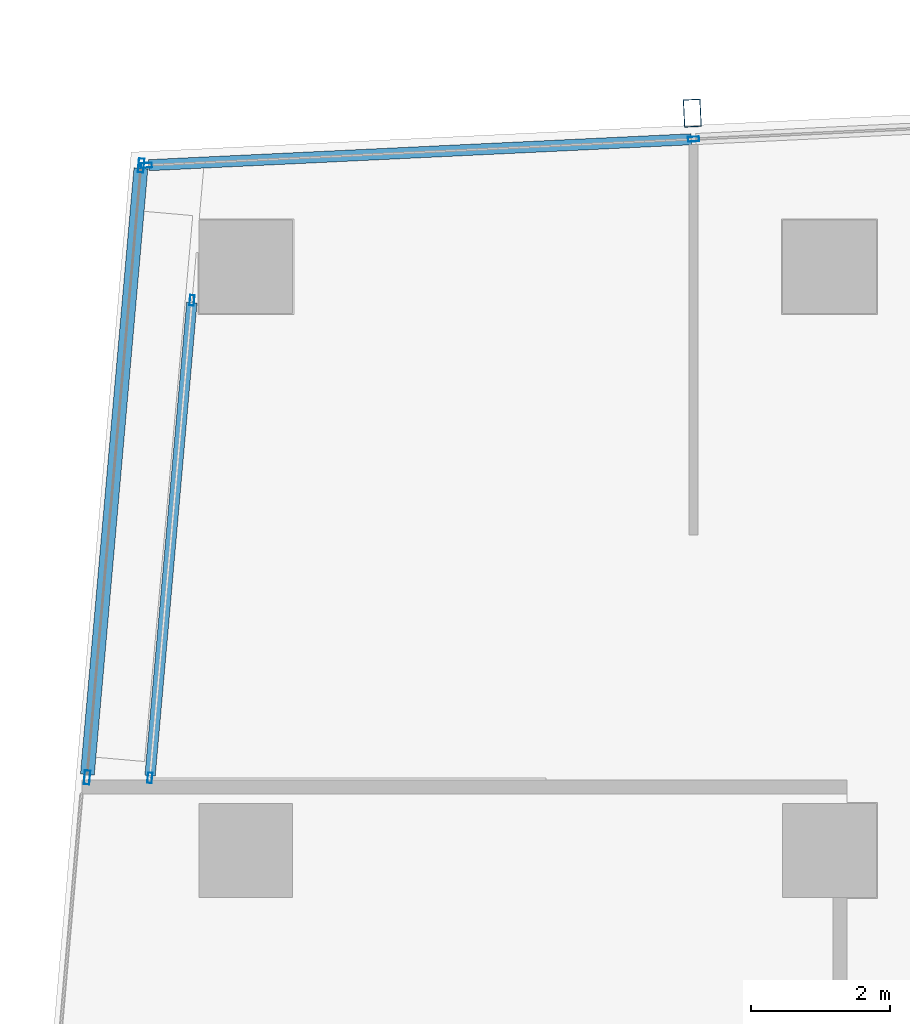
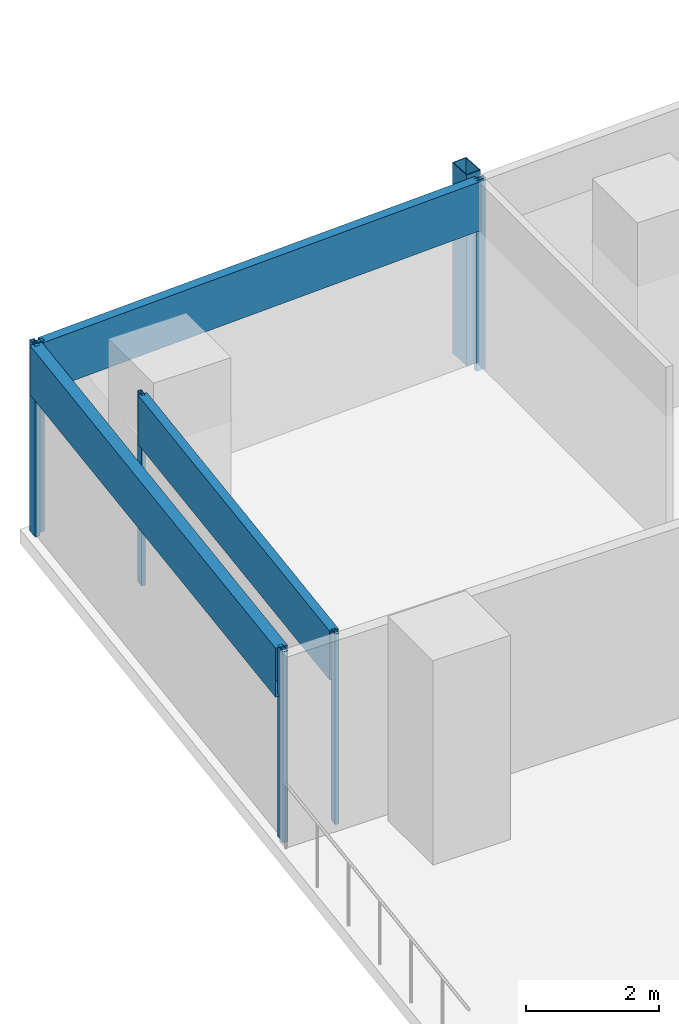
# One storey, part 14 of 35: 10 members, 3 elements without a shape of their own.
"""IFC4 building model written with IfcOpenShell, lengths in metres."""

from ifc_helpers import new_model, si_unit, direction, frame, origin, origin_2d, place, context, subcontext, project, spatial, hollow_rectangle, extrude, material, material_profile, profile_set, type_object, element, aggregate, save


model = new_model("IFC4")

# Units and contexts
model_context = context("Model", 3, precision=1e-05, world=origin(), true_north=direction((0.0, 1.0)))
body_context = subcontext(model_context, "Body", "Model", "MODEL_VIEW")
ifc_project = project(units=[si_unit("LENGTHUNIT", "METRE"), si_unit("AREAUNIT", "SQUARE_METRE"), si_unit("VOLUMEUNIT", "CUBIC_METRE"), si_unit("PLANEANGLEUNIT", "RADIAN"), si_unit("MASSUNIT", "GRAM", prefix="KILO")], contexts=[model_context])

# Site, building, storey
site_placement = place(None, origin())
site = spatial("IfcSite", under=ifc_project, at=site_placement, CompositionType="ELEMENT")
building_placement = place(site_placement, origin())
building = spatial("IfcBuilding", under=site, at=building_placement, Name="Rekha Terrace Tower", CompositionType="ELEMENT")
storey_placement = place(building_placement, frame((0.0, 0.0, 191.449951171875)))
storey = spatial("IfcBuildingStorey", under=building, at=storey_placement, Name="L48", CompositionType="ELEMENT", Elevation=191.449951171875)

# Curtain wall, member
ifc_material_1 = material(Name="Aluminium framing", Category="aluminium")
curtain_wall_type_1 = type_object("IfcCurtainWallType", Name="CW3 north unitised glazing", PredefinedType="USERDEFINED", material=ifc_material_1)
curtain_wall_1_placement = place(storey_placement, origin())
curtain_wall_1 = element("IfcCurtainWall", 1, at=curtain_wall_1_placement, inside=storey, type_object=curtain_wall_type_1, Name="CW3 unitised curtain wall", ObjectType="UNITISED CURTAIN WALL", PredefinedType="USERDEFINED")
ifc_material_2 = material(Name="Steel S355 with fluorocarbon finish", Category="steel")
ifc_material_profile_1 = material_profile(ifc_material_2, hollow_rectangle(XDim=0.25, YDim=0.39990234375, WallThickness=0.012451171875, at=origin_2d()), Name="RHS400x250x12.5")
ifc_profile_set_1 = profile_set([ifc_material_profile_1], Name="Steel S355 with fluorocarbon finish")
member_type_1 = type_object("IfcMemberType", Name="BL1 facade blade RHS 400 x 250", PredefinedType="USERDEFINED", material=ifc_profile_set_1)
member_1_placement = place(storey_placement, frame((14.824951171875, 61.01123046875, 0.0), z_axis=(0.0, 0.0, 1.0), x_axis=(-0.998858913274, -0.04775846913, 0.0)))
member_1 = element("IfcMember", 2, at=member_1_placement, type_object=member_type_1, Name="Facade blade", ObjectType="FACADE BLADE", PredefinedType="USERDEFINED", context=body_context, shape_type="SweptSolid", body=[
    extrude(hollow_rectangle(XDim=0.25, YDim=0.39990234375, WallThickness=0.012451171875, at=origin_2d()), origin(), (0.0, 0.0, 1.0), 3.5),
])

# Curtain wall, members
curtain_wall_type_2 = type_object("IfcCurtainWallType", Name="CW1 double skin inner glazing", PredefinedType="USERDEFINED", material=ifc_material_1)
curtain_wall_2_placement = place(storey_placement, origin())
curtain_wall_2 = element("IfcCurtainWall", 3, at=curtain_wall_2_placement, inside=storey, type_object=curtain_wall_type_2, Name="CW1 double skin inner glazing", ObjectType="DOUBLE SKIN INNER GLAZING", PredefinedType="USERDEFINED")
ifc_material_3 = material(Name="Aluminium mullion section", Category="aluminium")
ifc_material_profile_2 = material_profile(ifc_material_3, hollow_rectangle(XDim=0.06494140625, YDim=0.14990234375, WallThickness=0.00390625, at=origin_2d()), Name="AL RHS 65x150")
ifc_profile_set_2 = profile_set([ifc_material_profile_2], Name="Aluminium mullion section")
member_type_2 = type_object("IfcMemberType", Name="CW1 mullion RHS 65 x 150", PredefinedType="MULLION", material=ifc_profile_set_2)
member_2_placement = place(storey_placement, frame((7.625732421875, 58.316650390625, 0.0), z_axis=(0.0, 0.0, 1.0), x_axis=(0.99612418543, -0.087957985436, 0.0)))
member_2 = element("IfcMember", 4, at=member_2_placement, type_object=member_type_2, Name="CW1 mullion 1", PredefinedType="MULLION", context=body_context, shape_type="SweptSolid", body=[
    extrude(hollow_rectangle(XDim=0.06494140625, YDim=0.14990234375, WallThickness=0.00390625, at=origin_2d()), origin(), (0.0, 0.0, 1.0), 3.5),
])
member_3_placement = place(storey_placement, frame((7.01904296875, 51.4443359375, 0.0), z_axis=(0.0, 0.0, 1.0), x_axis=(0.99612418543, -0.087957985436, 0.0)))
member_3 = element("IfcMember", 5, at=member_3_placement, type_object=member_type_2, Name="CW1 mullion 2", PredefinedType="MULLION", context=body_context, shape_type="SweptSolid", body=[
    extrude(hollow_rectangle(XDim=0.06494140625, YDim=0.14990234375, WallThickness=0.00390625, at=origin_2d()), origin(), (0.0, 0.0, 1.0), 3.5),
])
ifc_material_4 = material(Name="Insulated aluminium spandrel box", Category="aluminium")
ifc_material_profile_3 = material_profile(ifc_material_4, hollow_rectangle(XDim=0.14990234375, YDim=0.89990234375, WallThickness=0.0029296875, at=origin_2d()), Name="AL SPANDREL BOX 150x900")
ifc_profile_set_3 = profile_set([ifc_material_profile_3], Name="Insulated aluminium spandrel box")
member_type_3 = type_object("IfcMemberType", Name="CW1 spandrel transom 150 x 900", PredefinedType="USERDEFINED", material=ifc_profile_set_3)
member_4_placement = place(storey_placement, frame((7.622802734375, 58.2841796875, 3.050048828125), z_axis=(-0.087955324854, -0.996124420356, 0.0), x_axis=(0.996124420356, -0.087955324854, 0.0)))
member_4 = element("IfcMember", 6, at=member_4_placement, type_object=member_type_3, Name="CW1 spandrel transom 1", ObjectType="TRANSOM", PredefinedType="USERDEFINED", context=body_context, shape_type="SweptSolid", body=[
    extrude(hollow_rectangle(XDim=0.14990234375, YDim=0.89990234375, WallThickness=0.0029296875, at=origin_2d()), origin(), (0.0, 0.0, 1.0), 6.833740234375),
])
aggregate(curtain_wall_2, [member_2, member_3, member_4])

curtain_wall_type_3 = type_object("IfcCurtainWallType", Name="CW2 double skin outer glazing", PredefinedType="USERDEFINED", material=ifc_material_1)
curtain_wall_3_placement = place(storey_placement, origin())
curtain_wall_3 = element("IfcCurtainWall", 7, at=curtain_wall_3_placement, inside=storey, type_object=curtain_wall_type_3, Name="CW2 double skin outer glazing", ObjectType="DOUBLE SKIN OUTER GLAZING", PredefinedType="USERDEFINED")
ifc_material_profile_4 = material_profile(ifc_material_3, hollow_rectangle(XDim=0.080078125, YDim=0.199951171875, WallThickness=0.00390625, at=origin_2d()), Name="AL RHS 80x200")
ifc_profile_set_4 = profile_set([ifc_material_profile_4], Name="Aluminium mullion section")
member_type_4 = type_object("IfcMemberType", Name="CW2 mullion RHS 80 x 200", PredefinedType="MULLION", material=ifc_profile_set_4)
member_5_placement = place(storey_placement, frame((6.8935546875, 60.257080078125, 0.0), z_axis=(0.0, 0.0, 1.0), x_axis=(0.996124185427, -0.087957985471, 0.0)))
member_5 = element("IfcMember", 8, at=member_5_placement, type_object=member_type_4, Name="CW2 mullion 1", PredefinedType="MULLION", context=body_context, shape_type="SweptSolid", body=[
    extrude(hollow_rectangle(XDim=0.080078125, YDim=0.199951171875, WallThickness=0.00390625, at=origin_2d()), origin(), (0.0, 0.0, 1.0), 3.5),
])
member_6_placement = place(storey_placement, frame((6.115966796875, 51.451904296875, 0.0), z_axis=(0.0, 0.0, 1.0), x_axis=(0.996124185427, -0.087957985471, 0.0)))
member_6 = element("IfcMember", 9, at=member_6_placement, type_object=member_type_4, Name="CW2 mullion 2", PredefinedType="MULLION", context=body_context, shape_type="SweptSolid", body=[
    extrude(hollow_rectangle(XDim=0.080078125, YDim=0.199951171875, WallThickness=0.00390625, at=origin_2d()), origin(), (0.0, 0.0, 1.0), 3.5),
])
ifc_material_profile_5 = material_profile(ifc_material_4, hollow_rectangle(XDim=0.199951171875, YDim=0.89990234375, WallThickness=0.0029296875, at=origin_2d()), Name="AL SPANDREL BOX 200x900")
ifc_profile_set_5 = profile_set([ifc_material_profile_5], Name="Insulated aluminium spandrel box")
member_type_5 = type_object("IfcMemberType", Name="CW2 spandrel transom 200 x 900", PredefinedType="USERDEFINED", material=ifc_profile_set_5)
member_7_placement = place(storey_placement, frame((6.89013671875, 60.217041015625, 3.050048828125), z_axis=(-0.087964579078, -0.996123603188, 0.0), x_axis=(0.996123603188, -0.087964579078, 0.0)))
member_7 = element("IfcMember", 10, at=member_7_placement, type_object=member_type_5, Name="CW2 spandrel transom 1", ObjectType="TRANSOM", PredefinedType="USERDEFINED", context=body_context, shape_type="SweptSolid", body=[
    extrude(hollow_rectangle(XDim=0.199951171875, YDim=0.89990234375, WallThickness=0.0029296875, at=origin_2d()), origin(), (0.0, 0.0, 1.0), 8.75927734375),
])
aggregate(curtain_wall_3, [member_5, member_6, member_7])

# Member
ifc_material_profile_6 = material_profile(ifc_material_3, hollow_rectangle(XDim=0.070068359375, YDim=0.159912109375, WallThickness=0.00390625, at=origin_2d()), Name="AL RHS 70x160")
ifc_profile_set_6 = profile_set([ifc_material_profile_6], Name="Aluminium mullion section")
member_type_6 = type_object("IfcMemberType", Name="CW3 mullion RHS 70 x 160", PredefinedType="MULLION", material=ifc_profile_set_6)
member_8_placement = place(storey_placement, frame((14.843017578125, 60.63671875, 0.0), z_axis=(0.0, 0.0, 1.0), x_axis=(0.047758616983, -0.998858906204, 0.0)))
member_8 = element("IfcMember", 11, at=member_8_placement, type_object=member_type_6, Name="CW3 mullion 5", PredefinedType="MULLION", context=body_context, shape_type="SweptSolid", body=[
    extrude(hollow_rectangle(XDim=0.070068359375, YDim=0.159912109375, WallThickness=0.00390625, at=origin_2d()), origin(), (0.0, 0.0, 1.0), 3.5),
])

member_9_placement = place(storey_placement, frame((6.96875, 60.26025390625, 0.0), z_axis=(0.0, 0.0, 1.0), x_axis=(0.047758616983, -0.998858906204, 0.0)))
member_9 = element("IfcMember", 12, at=member_9_placement, type_object=member_type_6, Name="CW3 mullion 6", PredefinedType="MULLION", context=body_context, shape_type="SweptSolid", body=[
    extrude(hollow_rectangle(XDim=0.070068359375, YDim=0.159912109375, WallThickness=0.00390625, at=origin_2d()), origin(), (0.0, 0.0, 1.0), 3.5),
])

ifc_material_profile_7 = material_profile(ifc_material_4, hollow_rectangle(XDim=0.159912109375, YDim=0.89990234375, WallThickness=0.0029296875, at=origin_2d()), Name="AL SPANDREL BOX 160x900")
ifc_profile_set_7 = profile_set([ifc_material_profile_7], Name="Insulated aluminium spandrel box")
member_type_7 = type_object("IfcMemberType", Name="CW3 spandrel transom 160 x 900", PredefinedType="USERDEFINED", material=ifc_profile_set_7)
member_10_placement = place(storey_placement, frame((14.807861328125, 60.635009765625, 3.050048828125), z_axis=(-0.998859425172, -0.047747761666, 0.0), x_axis=(0.047747761666, -0.998859425172, 0.0)))
member_10 = element("IfcMember", 13, at=member_10_placement, type_object=member_type_7, Name="CW3 spandrel transom 5", ObjectType="TRANSOM", PredefinedType="USERDEFINED", context=body_context, shape_type="SweptSolid", body=[
    extrude(hollow_rectangle(XDim=0.159912109375, YDim=0.89990234375, WallThickness=0.0029296875, at=origin_2d()), origin(), (0.0, 0.0, 1.0), 7.81298828125),
])

aggregate(curtain_wall_1, [member_8, member_9, member_10, member_1])

save(model, "model.ifc")
